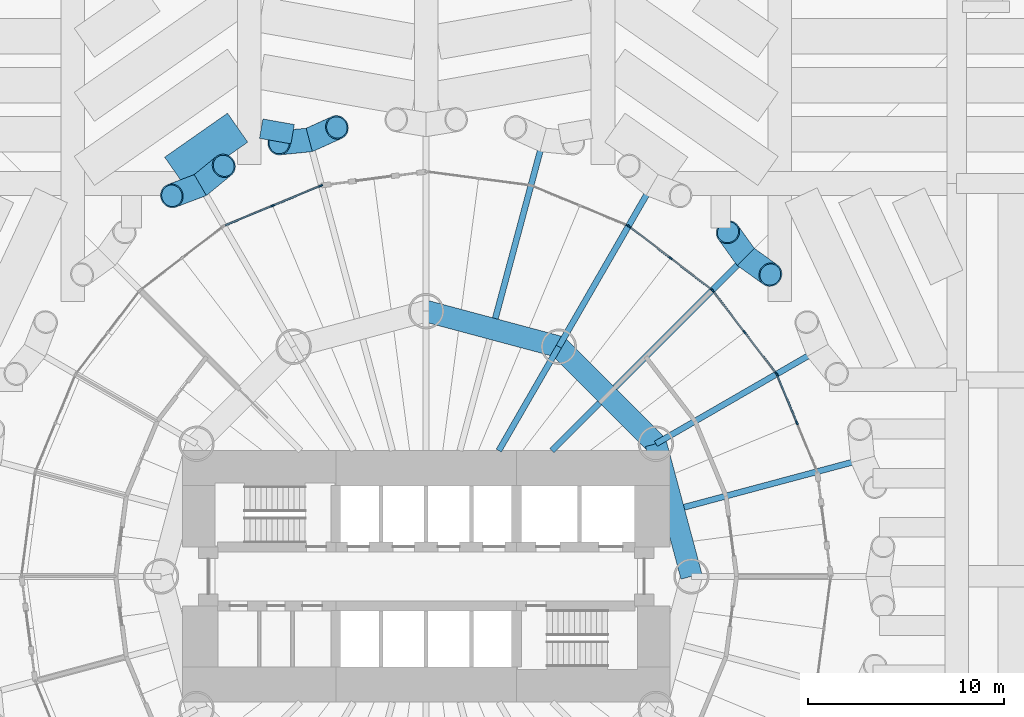
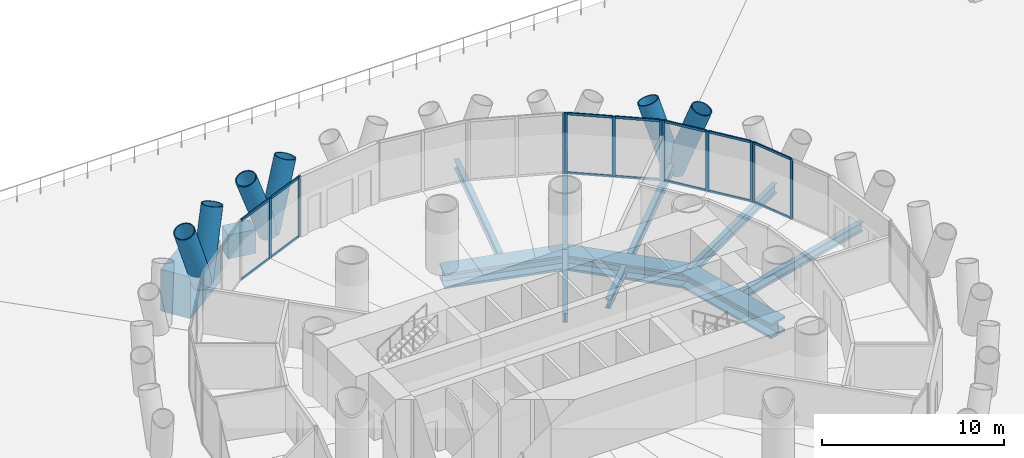
# One storey, part 7 of 19: 31 members, 12 beams, 5 elements without a shape of their own.
"""IFC4 building model written with IfcOpenShell, lengths in metres."""

from ifc_helpers import new_model, si_unit, direction, frame, origin, origin_2d, place, context, subcontext, project, spatial, rectangle, hollow_circle, i_section, extrude, material, material_profile, profile_set, type_object, element, aggregate, save


model = new_model("IFC4")

# Units and contexts
model_context = context("Model", 3, precision=1e-05, world=origin(), true_north=direction((0.0, 1.0)))
body_context = subcontext(model_context, "Body", "Model", "MODEL_VIEW")
ifc_project = project(units=[si_unit("LENGTHUNIT", "METRE"), si_unit("AREAUNIT", "SQUARE_METRE"), si_unit("VOLUMEUNIT", "CUBIC_METRE"), si_unit("PLANEANGLEUNIT", "RADIAN"), si_unit("MASSUNIT", "GRAM", prefix="KILO")], contexts=[model_context])

# Site, building, storey
site_placement = place(None, origin())
site = spatial("IfcSite", under=ifc_project, at=site_placement, CompositionType="ELEMENT")
building_placement = place(site_placement, origin())
building = spatial("IfcBuilding", under=site, at=building_placement, Name="Qaws Media Tower", CompositionType="ELEMENT")
storey_placement = place(building_placement, frame((0.0, 0.0, 26.0)))
storey = spatial("IfcBuildingStorey", under=building, at=storey_placement, Name="L04", CompositionType="ELEMENT", Elevation=26.0)

# Curtain wall, members
ifc_material_1 = material(Name="Aluminium and clear glass", Category="aluminium")
curtain_wall_type = type_object("IfcCurtainWallType", Name="Unitised curtain wall CW-A", PredefinedType="NOTDEFINED", material=ifc_material_1)
curtain_wall_1_placement = place(storey_placement, origin())
curtain_wall_1 = element("IfcCurtainWall", 1, at=curtain_wall_1_placement, inside=storey, type_object=curtain_wall_type, Name="CWA curtain wall L04-02", PredefinedType="NOTDEFINED")
ifc_material_2 = material(Name="Aluminium mullion", Category="aluminium")
ifc_material_profile_1 = material_profile(ifc_material_2, rectangle(XDim=0.080078125, YDim=0.199951171875, at=origin_2d()), Name="80x200")
ifc_profile_set_1 = profile_set([ifc_material_profile_1], Name="Aluminium mullion")
member_type_1 = type_object("IfcMemberType", Name="Curtain wall mullion 80x200", PredefinedType="MULLION", material=ifc_profile_set_1)
member_1_placement = place(storey_placement, frame((78.869140625, 57.81591796875, 0.0), z_axis=(0.0, 0.0, 1.0), x_axis=(-0.923879521985, -0.382683457778, 0.0)))
member_1 = element("IfcMember", 2, at=member_1_placement, type_object=member_type_1, Name="CWA mullion 2", PredefinedType="MULLION", context=body_context, shape_type="SweptSolid", body=[
    extrude(rectangle(XDim=0.080078125, YDim=0.199951171875, at=origin_2d()), origin(), (0.0, 0.0, 1.0), 4.0400390625),
])
member_2_placement = place(storey_placement, frame((77.85546875, 60.262939453125, 0.0), z_axis=(0.0, 0.0, 1.0), x_axis=(-0.923879521985, -0.382683457778, 0.0)))
member_2 = element("IfcMember", 3, at=member_2_placement, type_object=member_type_1, Name="CWA mullion 3", PredefinedType="MULLION", context=body_context, shape_type="SweptSolid", body=[
    extrude(rectangle(XDim=0.080078125, YDim=0.199951171875, at=origin_2d()), origin(), (0.0, 0.0, 1.0), 4.0400390625),
])

curtain_wall_2_placement = place(storey_placement, origin())
curtain_wall_2 = element("IfcCurtainWall", 4, at=curtain_wall_2_placement, inside=storey, type_object=curtain_wall_type, Name="CWA curtain wall L04-03", PredefinedType="NOTDEFINED")
member_3_placement = place(storey_placement, frame((77.815673828125, 60.331787109375, 0.0), z_axis=(0.0, 0.0, 1.0), x_axis=(-0.793353417662, -0.608761328178, 0.0)))
member_3 = element("IfcMember", 5, at=member_3_placement, type_object=member_type_1, Name="CWA mullion 1", PredefinedType="MULLION", context=body_context, shape_type="SweptSolid", body=[
    extrude(rectangle(XDim=0.080078125, YDim=0.199951171875, at=origin_2d()), origin(), (0.0, 0.0, 1.0), 4.0400390625),
])
member_4_placement = place(storey_placement, frame((76.203369140625, 62.43310546875, 0.0), z_axis=(0.0, 0.0, 1.0), x_axis=(-0.793353417662, -0.608761328178, 0.0)))
member_4 = element("IfcMember", 6, at=member_4_placement, type_object=member_type_1, Name="CWA mullion 2", PredefinedType="MULLION", context=body_context, shape_type="SweptSolid", body=[
    extrude(rectangle(XDim=0.080078125, YDim=0.199951171875, at=origin_2d()), origin(), (0.0, 0.0, 1.0), 4.0400390625),
])
member_5_placement = place(storey_placement, frame((74.5908203125, 64.53466796875, 0.0), z_axis=(0.0, 0.0, 1.0), x_axis=(-0.793353417662, -0.608761328178, 0.0)))
member_5 = element("IfcMember", 7, at=member_5_placement, type_object=member_type_1, Name="CWA mullion 3", PredefinedType="MULLION", context=body_context, shape_type="SweptSolid", body=[
    extrude(rectangle(XDim=0.080078125, YDim=0.199951171875, at=origin_2d()), origin(), (0.0, 0.0, 1.0), 4.0400390625),
])

curtain_wall_3_placement = place(storey_placement, origin())
curtain_wall_3 = element("IfcCurtainWall", 8, at=curtain_wall_3_placement, inside=storey, type_object=curtain_wall_type, Name="CWA curtain wall L04-04", PredefinedType="NOTDEFINED")
member_6_placement = place(storey_placement, frame((74.53466796875, 64.5908203125, 0.0), z_axis=(0.0, 0.0, 1.0), x_axis=(-0.608761328178, -0.793353417662, 0.0)))
member_6 = element("IfcMember", 9, at=member_6_placement, type_object=member_type_1, Name="CWA mullion 1", PredefinedType="MULLION", context=body_context, shape_type="SweptSolid", body=[
    extrude(rectangle(XDim=0.080078125, YDim=0.199951171875, at=origin_2d()), origin(), (0.0, 0.0, 1.0), 4.0400390625),
])
member_7_placement = place(storey_placement, frame((72.43310546875, 66.203369140625, 0.0), z_axis=(0.0, 0.0, 1.0), x_axis=(-0.608761328178, -0.793353417662, 0.0)))
member_7 = element("IfcMember", 10, at=member_7_placement, type_object=member_type_1, Name="CWA mullion 2", PredefinedType="MULLION", context=body_context, shape_type="SweptSolid", body=[
    extrude(rectangle(XDim=0.080078125, YDim=0.199951171875, at=origin_2d()), origin(), (0.0, 0.0, 1.0), 4.0400390625),
])
member_8_placement = place(storey_placement, frame((70.331787109375, 67.815673828125, 0.0), z_axis=(0.0, 0.0, 1.0), x_axis=(-0.608761328178, -0.793353417662, 0.0)))
member_8 = element("IfcMember", 11, at=member_8_placement, type_object=member_type_1, Name="CWA mullion 3", PredefinedType="MULLION", context=body_context, shape_type="SweptSolid", body=[
    extrude(rectangle(XDim=0.080078125, YDim=0.199951171875, at=origin_2d()), origin(), (0.0, 0.0, 1.0), 4.0400390625),
])

# Curtain wall, member
curtain_wall_4_placement = place(storey_placement, origin())
curtain_wall_4 = element("IfcCurtainWall", 12, at=curtain_wall_4_placement, inside=storey, type_object=curtain_wall_type, Name="CWA curtain wall L04-05", PredefinedType="NOTDEFINED")
member_9_placement = place(storey_placement, frame((70.262939453125, 67.85546875, 0.0), z_axis=(0.0, 0.0, 1.0), x_axis=(-0.382683457778, -0.923879521985, 0.0)))
member_9 = element("IfcMember", 13, at=member_9_placement, type_object=member_type_1, Name="CWA mullion 1", PredefinedType="MULLION", context=body_context, shape_type="SweptSolid", body=[
    extrude(rectangle(XDim=0.080078125, YDim=0.199951171875, at=origin_2d()), origin(), (0.0, 0.0, 1.0), 4.0400390625),
])
aggregate(curtain_wall_4, [member_9])

# Curtain wall, members
curtain_wall_5_placement = place(storey_placement, origin())
curtain_wall_5 = element("IfcCurtainWall", 14, at=curtain_wall_5_placement, inside=storey, type_object=curtain_wall_type, Name="CWA curtain wall L04-08", PredefinedType="NOTDEFINED")
member_10_placement = place(storey_placement, frame((54.63134765625, 69.8828125, 0.0), z_axis=(0.0, 0.0, 1.0), x_axis=(0.382683457778, -0.923879521985, 0.0)))
member_10 = element("IfcMember", 15, at=member_10_placement, type_object=member_type_1, Name="CWA mullion 1", PredefinedType="MULLION", context=body_context, shape_type="SweptSolid", body=[
    extrude(rectangle(XDim=0.080078125, YDim=0.199951171875, at=origin_2d()), origin(), (0.0, 0.0, 1.0), 4.0400390625),
])
member_11_placement = place(storey_placement, frame((52.18408203125, 68.869140625, 0.0), z_axis=(0.0, 0.0, 1.0), x_axis=(0.382683457778, -0.923879521985, 0.0)))
member_11 = element("IfcMember", 16, at=member_11_placement, type_object=member_type_1, Name="CWA mullion 2", PredefinedType="MULLION", context=body_context, shape_type="SweptSolid", body=[
    extrude(rectangle(XDim=0.080078125, YDim=0.199951171875, at=origin_2d()), origin(), (0.0, 0.0, 1.0), 4.0400390625),
])

# Member
ifc_material_3 = material(Name="Aluminium transom", Category="aluminium")
ifc_material_profile_2 = material_profile(ifc_material_3, rectangle(XDim=0.080078125, YDim=0.159912109375, at=origin_2d()), Name="80x160")
ifc_profile_set_2 = profile_set([ifc_material_profile_2], Name="Aluminium transom")
member_type_2 = type_object("IfcMemberType", Name="Curtain wall transom 80x160", PredefinedType="USERDEFINED", material=ifc_profile_set_2)
member_12_placement = place(storey_placement, frame((78.853759765625, 57.852783203125, 0.0400390625), z_axis=(-0.382637188535, 0.923898685977, 0.0), x_axis=(-0.923898685977, -0.382637188535, 0.0)))
member_12 = element("IfcMember", 17, at=member_12_placement, type_object=member_type_2, Name="CWA transom 2.1", ObjectType="TRANSOM", PredefinedType="USERDEFINED", context=body_context, shape_type="SweptSolid", body=[
    extrude(rectangle(XDim=0.080078125, YDim=0.159912109375, at=origin_2d()), origin(), (0.0, 0.0, 1.0), 2.56884765625),
])

member_13_placement = place(storey_placement, frame((78.853759765625, 57.852783203125, 4.0), z_axis=(-0.382637188535, 0.923898685977, 0.0), x_axis=(-0.923898685977, -0.382637188535, 0.0)))
member_13 = element("IfcMember", 18, at=member_13_placement, type_object=member_type_2, Name="CWA transom 2.2", ObjectType="TRANSOM", PredefinedType="USERDEFINED", context=body_context, shape_type="SweptSolid", body=[
    extrude(rectangle(XDim=0.080078125, YDim=0.159912109375, at=origin_2d()), origin(), (0.0, 0.0, 1.0), 2.56884765625),
])

aggregate(curtain_wall_1, [member_1, member_2, member_12, member_13])

member_14_placement = place(storey_placement, frame((77.79150390625, 60.363525390625, 0.0400390625), z_axis=(-0.608828522039, 0.793301853491, 0.0), x_axis=(-0.793301853491, -0.608828522039, 0.0)))
member_14 = element("IfcMember", 19, at=member_14_placement, type_object=member_type_2, Name="CWA transom 1.1", ObjectType="TRANSOM", PredefinedType="USERDEFINED", context=body_context, shape_type="SweptSolid", body=[
    extrude(rectangle(XDim=0.080078125, YDim=0.159912109375, at=origin_2d()), origin(), (0.0, 0.0, 1.0), 2.56884765625),
])

member_15_placement = place(storey_placement, frame((77.79150390625, 60.363525390625, 4.0), z_axis=(-0.608828522039, 0.793301853491, 0.0), x_axis=(-0.793301853491, -0.608828522039, 0.0)))
member_15 = element("IfcMember", 20, at=member_15_placement, type_object=member_type_2, Name="CWA transom 1.2", ObjectType="TRANSOM", PredefinedType="USERDEFINED", context=body_context, shape_type="SweptSolid", body=[
    extrude(rectangle(XDim=0.080078125, YDim=0.159912109375, at=origin_2d()), origin(), (0.0, 0.0, 1.0), 2.56884765625),
])

member_16_placement = place(storey_placement, frame((76.178955078125, 62.46484375, 0.0400390625), z_axis=(-0.608782621434, 0.793337078322, 0.0), x_axis=(-0.793337078322, -0.608782621434, 0.0)))
member_16 = element("IfcMember", 21, at=member_16_placement, type_object=member_type_2, Name="CWA transom 2.1", ObjectType="TRANSOM", PredefinedType="USERDEFINED", context=body_context, shape_type="SweptSolid", body=[
    extrude(rectangle(XDim=0.080078125, YDim=0.159912109375, at=origin_2d()), origin(), (0.0, 0.0, 1.0), 2.569091796875),
])

member_17_placement = place(storey_placement, frame((76.178955078125, 62.46484375, 4.0), z_axis=(-0.608782621434, 0.793337078322, 0.0), x_axis=(-0.793337078322, -0.608782621434, 0.0)))
member_17 = element("IfcMember", 22, at=member_17_placement, type_object=member_type_2, Name="CWA transom 2.2", ObjectType="TRANSOM", PredefinedType="USERDEFINED", context=body_context, shape_type="SweptSolid", body=[
    extrude(rectangle(XDim=0.080078125, YDim=0.159912109375, at=origin_2d()), origin(), (0.0, 0.0, 1.0), 2.569091796875),
])

aggregate(curtain_wall_2, [member_3, member_4, member_5, member_14, member_15, member_16, member_17])

member_18_placement = place(storey_placement, frame((74.5029296875, 64.614990234375, 0.0400390625), z_axis=(-0.793337078322, 0.608782621434, 0.0), x_axis=(-0.608782621434, -0.793337078322, 0.0)))
member_18 = element("IfcMember", 23, at=member_18_placement, type_object=member_type_2, Name="CWA transom 1.1", ObjectType="TRANSOM", PredefinedType="USERDEFINED", context=body_context, shape_type="SweptSolid", body=[
    extrude(rectangle(XDim=0.080078125, YDim=0.159912109375, at=origin_2d()), origin(), (0.0, 0.0, 1.0), 2.569091796875),
])

member_19_placement = place(storey_placement, frame((74.5029296875, 64.614990234375, 4.0), z_axis=(-0.793337078322, 0.608782621434, 0.0), x_axis=(-0.608782621434, -0.793337078322, 0.0)))
member_19 = element("IfcMember", 24, at=member_19_placement, type_object=member_type_2, Name="CWA transom 1.2", ObjectType="TRANSOM", PredefinedType="USERDEFINED", context=body_context, shape_type="SweptSolid", body=[
    extrude(rectangle(XDim=0.080078125, YDim=0.159912109375, at=origin_2d()), origin(), (0.0, 0.0, 1.0), 2.569091796875),
])

member_20_placement = place(storey_placement, frame((72.4013671875, 66.2275390625, 0.0400390625), z_axis=(-0.793301853491, 0.608828522039, 0.0), x_axis=(-0.608828522039, -0.793301853491, 0.0)))
member_20 = element("IfcMember", 25, at=member_20_placement, type_object=member_type_2, Name="CWA transom 2.1", ObjectType="TRANSOM", PredefinedType="USERDEFINED", context=body_context, shape_type="SweptSolid", body=[
    extrude(rectangle(XDim=0.080078125, YDim=0.159912109375, at=origin_2d()), origin(), (0.0, 0.0, 1.0), 2.56884765625),
])

member_21_placement = place(storey_placement, frame((72.4013671875, 66.2275390625, 4.0), z_axis=(-0.793301853491, 0.608828522039, 0.0), x_axis=(-0.608828522039, -0.793301853491, 0.0)))
member_21 = element("IfcMember", 26, at=member_21_placement, type_object=member_type_2, Name="CWA transom 2.2", ObjectType="TRANSOM", PredefinedType="USERDEFINED", context=body_context, shape_type="SweptSolid", body=[
    extrude(rectangle(XDim=0.080078125, YDim=0.159912109375, at=origin_2d()), origin(), (0.0, 0.0, 1.0), 2.56884765625),
])

aggregate(curtain_wall_3, [member_6, member_7, member_8, member_18, member_19, member_20, member_21])

member_22_placement = place(storey_placement, frame((54.594482421875, 69.867431640625, 0.0400390625), z_axis=(-0.923898685977, -0.382637188535, 0.0), x_axis=(0.382637188535, -0.923898685977, 0.0)))
member_22 = element("IfcMember", 27, at=member_22_placement, type_object=member_type_2, Name="CWA transom 1.1", ObjectType="TRANSOM", PredefinedType="USERDEFINED", context=body_context, shape_type="SweptSolid", body=[
    extrude(rectangle(XDim=0.080078125, YDim=0.159912109375, at=origin_2d()), origin(), (0.0, 0.0, 1.0), 2.56884765625),
])

member_23_placement = place(storey_placement, frame((54.594482421875, 69.867431640625, 4.0), z_axis=(-0.923898685977, -0.382637188535, 0.0), x_axis=(0.382637188535, -0.923898685977, 0.0)))
member_23 = element("IfcMember", 28, at=member_23_placement, type_object=member_type_2, Name="CWA transom 1.2", ObjectType="TRANSOM", PredefinedType="USERDEFINED", context=body_context, shape_type="SweptSolid", body=[
    extrude(rectangle(XDim=0.080078125, YDim=0.159912109375, at=origin_2d()), origin(), (0.0, 0.0, 1.0), 2.56884765625),
])

member_24_placement = place(storey_placement, frame((52.147216796875, 68.853759765625, 0.0400390625), z_axis=(-0.923898685977, -0.382637188535, 0.0), x_axis=(0.382637188535, -0.923898685977, 0.0)))
member_24 = element("IfcMember", 29, at=member_24_placement, type_object=member_type_2, Name="CWA transom 2.1", ObjectType="TRANSOM", PredefinedType="USERDEFINED", context=body_context, shape_type="SweptSolid", body=[
    extrude(rectangle(XDim=0.080078125, YDim=0.159912109375, at=origin_2d()), origin(), (0.0, 0.0, 1.0), 2.56884765625),
])

member_25_placement = place(storey_placement, frame((52.147216796875, 68.853759765625, 4.0), z_axis=(-0.923898685977, -0.382637188535, 0.0), x_axis=(0.382637188535, -0.923898685977, 0.0)))
member_25 = element("IfcMember", 30, at=member_25_placement, type_object=member_type_2, Name="CWA transom 2.2", ObjectType="TRANSOM", PredefinedType="USERDEFINED", context=body_context, shape_type="SweptSolid", body=[
    extrude(rectangle(XDim=0.080078125, YDim=0.159912109375, at=origin_2d()), origin(), (0.0, 0.0, 1.0), 2.56884765625),
])

aggregate(curtain_wall_5, [member_10, member_11, member_22, member_23, member_24, member_25])

# Members
ifc_material_4 = material(Name="Steel S460", Category="steel")
ifc_material_profile_3 = material_profile(ifc_material_4, hollow_circle(Radius=0.609619140625, WallThickness=0.06005859375, at=origin_2d()), Name="CHS 1219x60")
ifc_profile_set_3 = profile_set([ifc_material_profile_3], Name="Steel S460")
member_type_3 = type_object("IfcMemberType", Name="Diagrid member CHS 1219x60", PredefinedType="USERDEFINED", material=ifc_profile_set_3)
for number, where, z_axis, x_axis, name in (
    (31, (76.263427734375, 66.263427734375, -0.909912109375), (-0.201266133248, 0.280321331697, 0.938569067572), (-0.812310289856, -0.583225507839, 0.0), "DG1 diagrid L04 A04"),
    (32, (76.263427734375, 66.263427734375, -0.909912109375), (0.280321331697, -0.201266133248, 0.938569067572), (0.583225507839, 0.812310289856, 0.0), "DG1 diagrid L04 B04"),
    (33, (54.047119140625, 72.21630859375, -0.909912109375), (-0.343391645998, -0.034153665458, 0.938571097251), (0.098971482221, -0.99509027013, 0.0), "DG1 diagrid L04 A08"),
    (34, (54.047119140625, 72.21630859375, -0.909912109375), (0.314474007821, 0.142124356415, 0.938566335279), (-0.411836624979, 0.911257699186, 0.0), "DG1 diagrid L04 B08"),
    (35, (48.5, 69.918701171875, -0.909912109375), (-0.322874178804, -0.121882547389, 0.938561084482), (0.353166911029, -0.935560331007, 0.0), "DG1 diagrid L04 A09"),
    (36, (48.5, 69.918701171875, -0.909912109375), (0.266955405454, 0.218671012683, 0.93857221337), (-0.633676776351, 0.77359792083, 0.0), "DG1 diagrid L04 B09"),
):
    element("IfcMember", number, at=place(storey_placement, frame(where, z_axis=z_axis, x_axis=x_axis)), inside=storey, type_object=member_type_3, Name=name, ObjectType="DIAGRID", PredefinedType="USERDEFINED", context=body_context, shape_type="SweptSolid", body=[
        extrude(hollow_circle(Radius=0.609619140625, WallThickness=0.06005859375, at=origin_2d()), origin(), (0.0, 0.0, 1.0), 4.474853515625),
    ])

# Beams
ifc_material_5 = material(Name="Steel S460", Category="steel")
ifc_material_profile_4 = material_profile(ifc_material_5, i_section(OverallWidth=1.10009765625, OverallDepth=1.0, WebThickness=0.06005859375, FlangeThickness=0.14990234375, at=origin_2d()), Name="PG 1000x1100")
ifc_profile_set_4 = profile_set([ifc_material_profile_4], Name="Steel S460")
beam_type_1 = type_object("IfcBeamType", Name="Inner ring girder PG 1000x1100", PredefinedType="BEAM", material=ifc_profile_set_4)
beam_1_placement = place(storey_placement, frame((73.5, 50.0, -0.659912109375), z_axis=(-0.258810593767, 0.965928090778, 0.0), x_axis=(-0.965928090778, -0.258810593767, 0.0)))
element("IfcBeam", 37, at=beam_1_placement, inside=storey, type_object=beam_type_1, Name="B3 inner ring beam L04 I01-I02", PredefinedType="BEAM", context=body_context, shape_type="SweptSolid", body=[
    extrude(i_section(OverallWidth=1.10009765625, OverallDepth=1.0, WebThickness=0.06005859375, FlangeThickness=0.14990234375, at=origin_2d()), origin(), (0.0, 0.0, 1.0), 6.988037109375),
])
beam_2_placement = place(storey_placement, frame((71.69140625, 56.75, -0.659912109375), z_axis=(-0.707106781187, 0.707106781187, 0.0), x_axis=(-0.707106781187, -0.707106781187, 0.0)))
element("IfcBeam", 38, at=beam_2_placement, inside=storey, type_object=beam_type_1, Name="B3 inner ring beam L04 I02-I03", PredefinedType="BEAM", context=body_context, shape_type="SweptSolid", body=[
    extrude(i_section(OverallWidth=1.10009765625, OverallDepth=1.0, WebThickness=0.06005859375, FlangeThickness=0.14990234375, at=origin_2d()), origin(), (0.0, 0.0, 1.0), 6.98828125),
])
beam_3_placement = place(storey_placement, frame((66.75, 61.69140625, -0.659912109375), z_axis=(-0.965928090778, 0.258810593767, 0.0), x_axis=(-0.258810593767, -0.965928090778, 0.0)))
element("IfcBeam", 39, at=beam_3_placement, inside=storey, type_object=beam_type_1, Name="B3 inner ring beam L04 I03-I04", PredefinedType="BEAM", context=body_context, shape_type="SweptSolid", body=[
    extrude(i_section(OverallWidth=1.10009765625, OverallDepth=1.0, WebThickness=0.06005859375, FlangeThickness=0.14990234375, at=origin_2d()), origin(), (0.0, 0.0, 1.0), 6.988037109375),
])
ifc_material_6 = material(Name="Concrete C60/75", Category="concrete")
ifc_material_profile_5 = material_profile(ifc_material_6, rectangle(XDim=1.0, YDim=1.60009765625, at=origin_2d()), Name="RC 1000x1600")
ifc_profile_set_5 = profile_set([ifc_material_profile_5], Name="Concrete C60/75")
beam_type_2 = type_object("IfcBeamType", Name="Podium roof ring secondary beam RC 1000x1600", PredefinedType="BEAM", material=ifc_profile_set_5)
beam_4_placement = place(storey_placement, frame((53.201904296875, 72.508544921875, -1.10009765625), z_axis=(-0.984804706525, 0.173665454268, 0.0), x_axis=(-0.173665454268, -0.984804706525, 0.0)))
element("IfcBeam", 40, at=beam_4_placement, inside=storey, type_object=beam_type_2, Name="PB13 beam bay 5F line 3", PredefinedType="BEAM", context=body_context, shape_type="SweptSolid", body=[
    extrude(rectangle(XDim=1.0, YDim=1.60009765625, at=origin_2d()), origin(), (0.0, 0.0, 1.0), 1.62646484375),
])
ifc_material_7 = material(Name="Concrete C60/75", Category="concrete")
ifc_material_profile_6 = material_profile(ifc_material_7, rectangle(XDim=1.800048828125, YDim=2.800048828125, at=origin_2d()), Name="RC 1800x2800")
ifc_profile_set_6 = profile_set([ifc_material_profile_6], Name="Concrete C60/75")
beam_type_3 = type_object("IfcBeamType", Name="Podium roof secondary beam RC 1800x2800", PredefinedType="BEAM", material=ifc_profile_set_6)
beam_5_placement = place(storey_placement, frame((47.20068359375, 70.60009765625, -1.699951171875), z_axis=(0.819137933963, 0.573596587458, 0.0), x_axis=(-0.573596587458, 0.819137933963, 0.0)))
element("IfcBeam", 41, at=beam_5_placement, inside=storey, type_object=beam_type_3, Name="PB8 beam bay 4F line 1", PredefinedType="BEAM", context=body_context, shape_type="SweptSolid", body=[
    extrude(rectangle(XDim=1.800048828125, YDim=2.800048828125, at=origin_2d()), origin(), (0.0, 0.0, 1.0), 3.905517578125),
])
ifc_material_8 = material(Name="Steel S355", Category="steel")
ifc_material_profile_7 = material_profile(ifc_material_8, i_section(OverallWidth=0.304931640625, OverallDepth=0.6201171875, WebThickness=0.02099609375, FlangeThickness=0.0400390625, FilletRadius=0.027099609375, at=origin_2d()), Name="HE 600 M")
ifc_profile_set_7 = profile_set([ifc_material_profile_7], Name="Steel S355")
beam_type_4 = type_object("IfcBeamType", Name="Radial beam HE 600 M", PredefinedType="BEAM", material=ifc_profile_set_7)
beam_6_placement = place(storey_placement, frame((73.126953125, 53.517333984375, -0.469970703125), z_axis=(0.965924194565, 0.258825134703, 0.0), x_axis=(-0.258825134703, 0.965924194565, 0.0)))
element("IfcBeam", 42, at=beam_6_placement, inside=storey, type_object=beam_type_4, Name="B1 radial beam L04 02", PredefinedType="BEAM", context=body_context, shape_type="SweptSolid", body=[
    extrude(i_section(OverallWidth=0.304931640625, OverallDepth=0.6201171875, WebThickness=0.02099609375, FlangeThickness=0.0400390625, FilletRadius=0.027099609375, at=origin_2d()), origin(), (0.0, 0.0, 1.0), 9.409912109375),
])
beam_7_placement = place(storey_placement, frame((71.69140625, 56.75, -0.469970703125), z_axis=(0.86602681393, 0.499997557548, 0.0), x_axis=(-0.499997557548, 0.86602681393, 0.0)))
element("IfcBeam", 43, at=beam_7_placement, inside=storey, type_object=beam_type_4, Name="B1 radial beam L04 03", PredefinedType="BEAM", context=body_context, shape_type="SweptSolid", body=[
    extrude(i_section(OverallWidth=0.304931640625, OverallDepth=0.6201171875, WebThickness=0.02099609375, FlangeThickness=0.0400390625, FilletRadius=0.027099609375, at=origin_2d()), origin(), (0.0, 0.0, 1.0), 9.5),
])
beam_8_placement = place(storey_placement, frame((69.609619140625, 59.609619140625, -0.469970703125), z_axis=(0.707106781187, 0.707106781187, 0.0), x_axis=(-0.707106781187, 0.707106781187, 0.0)))
element("IfcBeam", 44, at=beam_8_placement, inside=storey, type_object=beam_type_4, Name="B1 radial beam L04 04", PredefinedType="BEAM", context=body_context, shape_type="SweptSolid", body=[
    extrude(i_section(OverallWidth=0.304931640625, OverallDepth=0.6201171875, WebThickness=0.02099609375, FlangeThickness=0.0400390625, FilletRadius=0.027099609375, at=origin_2d()), origin(), (0.0, 0.0, 1.0), 9.409912109375),
])
beam_9_placement = place(storey_placement, frame((66.75, 61.69140625, -0.469970703125), z_axis=(0.499997557548, 0.86602681393, 0.0), x_axis=(-0.86602681393, 0.499997557548, 0.0)))
element("IfcBeam", 45, at=beam_9_placement, inside=storey, type_object=beam_type_4, Name="B1 radial beam L04 05", PredefinedType="BEAM", context=body_context, shape_type="SweptSolid", body=[
    extrude(i_section(OverallWidth=0.304931640625, OverallDepth=0.6201171875, WebThickness=0.02099609375, FlangeThickness=0.0400390625, FilletRadius=0.027099609375, at=origin_2d()), origin(), (0.0, 0.0, 1.0), 9.5),
])
beam_10_placement = place(storey_placement, frame((63.517333984375, 63.126953125, -0.469970703125), z_axis=(0.258825134703, 0.965924194565, 0.0), x_axis=(-0.965924194565, 0.258825134703, 0.0)))
element("IfcBeam", 46, at=beam_10_placement, inside=storey, type_object=beam_type_4, Name="B1 radial beam L04 06", PredefinedType="BEAM", context=body_context, shape_type="SweptSolid", body=[
    extrude(i_section(OverallWidth=0.304931640625, OverallDepth=0.6201171875, WebThickness=0.02099609375, FlangeThickness=0.0400390625, FilletRadius=0.027099609375, at=origin_2d()), origin(), (0.0, 0.0, 1.0), 9.409912109375),
])
ifc_material_9 = material(Name="Steel S355", Category="steel")
ifc_material_profile_8 = material_profile(ifc_material_9, i_section(OverallWidth=0.304931640625, OverallDepth=0.6201171875, WebThickness=0.02099609375, FlangeThickness=0.0400390625, FilletRadius=0.027099609375, at=origin_2d()), Name="HE 600 M")
ifc_profile_set_8 = profile_set([ifc_material_profile_8], Name="Steel S355")
beam_type_5 = type_object("IfcBeamType", Name="Radial beam HE 600 M, core side", PredefinedType="BEAM", material=ifc_profile_set_8)
beam_11_placement = place(storey_placement, frame((66.39990234375, 56.39990234375, -0.469970703125), z_axis=(0.707106781187, 0.707106781187, 0.0), x_axis=(-0.707106781187, 0.707106781187, 0.0)))
element("IfcBeam", 47, at=beam_11_placement, inside=storey, type_object=beam_type_5, Name="B2 radial beam L04 04", PredefinedType="BEAM", context=body_context, shape_type="SweptSolid", body=[
    extrude(i_section(OverallWidth=0.304931640625, OverallDepth=0.6201171875, WebThickness=0.02099609375, FlangeThickness=0.0400390625, FilletRadius=0.027099609375, at=origin_2d()), origin(), (0.0, 0.0, 1.0), 3.439208984375),
])
beam_12_placement = place(storey_placement, frame((63.695068359375, 56.39990234375, -0.469970703125), z_axis=(0.49998532359, 0.866033877048, 0.0), x_axis=(-0.866033877048, 0.49998532359, 0.0)))
element("IfcBeam", 48, at=beam_12_placement, inside=storey, type_object=beam_type_5, Name="B2 radial beam L04 05", PredefinedType="BEAM", context=body_context, shape_type="SweptSolid", body=[
    extrude(i_section(OverallWidth=0.304931640625, OverallDepth=0.6201171875, WebThickness=0.02099609375, FlangeThickness=0.0400390625, FilletRadius=0.027099609375, at=origin_2d()), origin(), (0.0, 0.0, 1.0), 6.110107421875),
])

save(model, "model.ifc")
